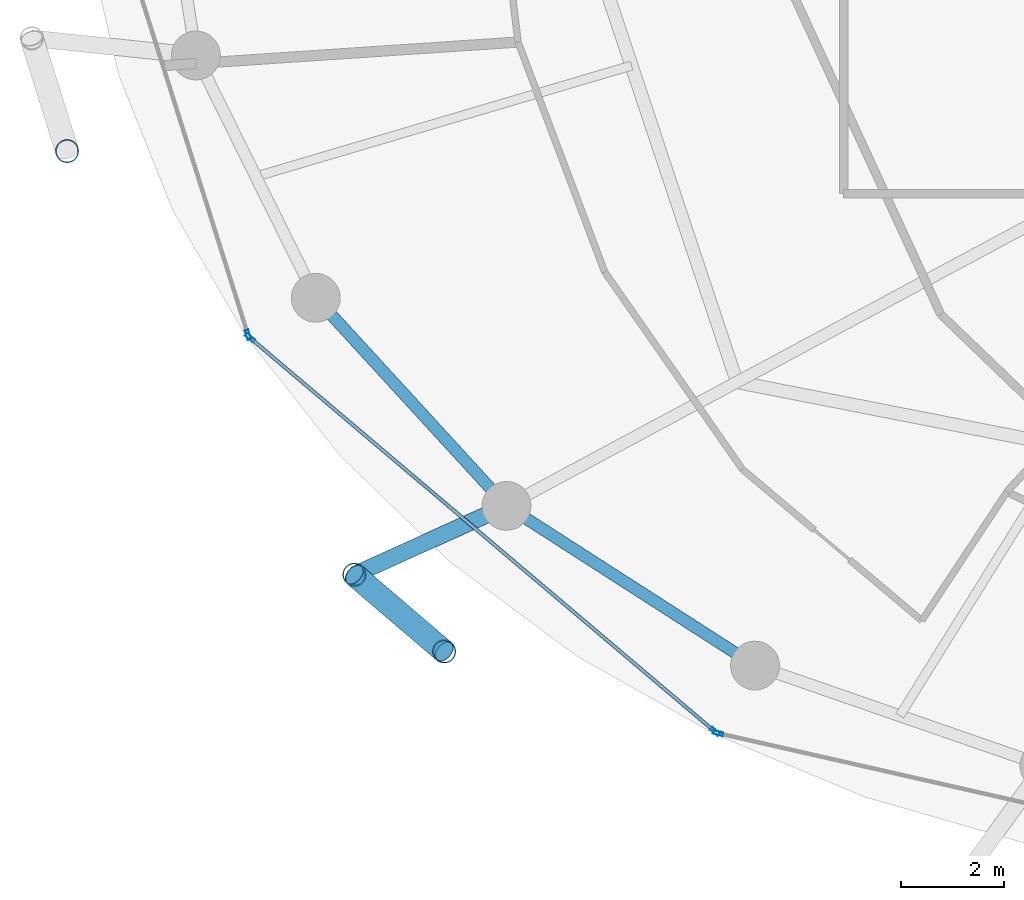
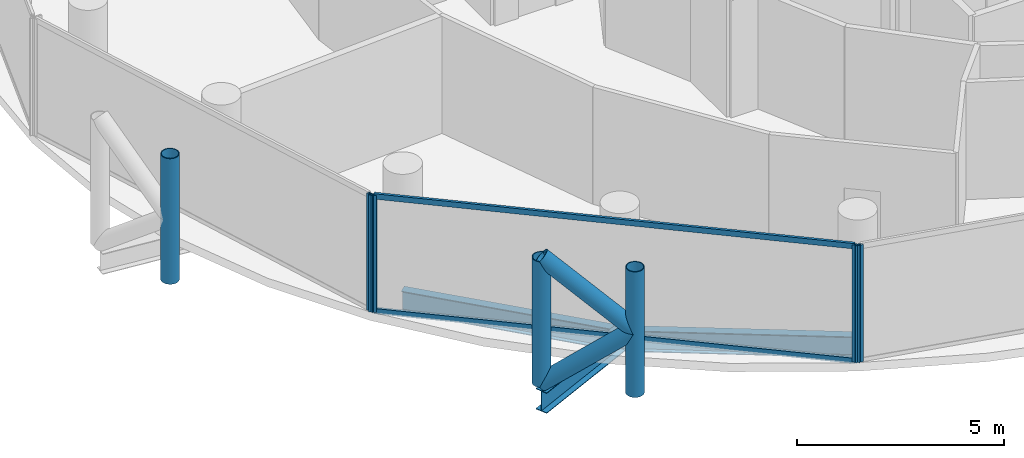
# One storey, part 2 of 27: 11 members, 3 beams, 3 elements without a shape of their own.
"""IFC4 building model written with IfcOpenShell, lengths in metres."""

from ifc_helpers import new_model, si_unit, direction, frame, origin, origin_2d, place, context, subcontext, project, spatial, hollow_rectangle, hollow_circle, i_section, extrude, material, layer, layer_set, material_profile, profile_set, type_object, element, aggregate, save


model = new_model("IFC4")

# Units and contexts
model_context = context("Model", 3, precision=1e-05, world=origin(), true_north=direction((0.0, 1.0)))
body_context = subcontext(model_context, "Body", "Model", "MODEL_VIEW")
ifc_project = project(units=[si_unit("LENGTHUNIT", "METRE"), si_unit("AREAUNIT", "SQUARE_METRE"), si_unit("VOLUMEUNIT", "CUBIC_METRE"), si_unit("PLANEANGLEUNIT", "RADIAN"), si_unit("MASSUNIT", "GRAM", prefix="KILO")], contexts=[model_context])

# Site, building, storey
site_placement = place(None, origin())
site = spatial("IfcSite", under=ifc_project, at=site_placement, CompositionType="ELEMENT")
building_placement = place(site_placement, origin())
building = spatial("IfcBuilding", under=site, at=building_placement, Name="Nuhasar Tower", CompositionType="ELEMENT")
storey_placement = place(building_placement, frame((0.0, 0.0, 158.949951171875)))
storey = spatial("IfcBuildingStorey", under=building, at=storey_placement, Name="L38", CompositionType="ELEMENT", Elevation=158.949951171875)

# Beams
ifc_material_1 = material(Name="Steel S355", Category="steel")
ifc_material_profile_1 = material_profile(ifc_material_1, i_section(OverallWidth=0.22998046875, OverallDepth=0.616943359375, WebThickness=0.01318359375, FlangeThickness=0.022216796875, at=origin_2d()), Name="W24X94")
ifc_profile_set_1 = profile_set([ifc_material_profile_1], Name="Steel S355")
beam_type_1 = type_object("IfcBeamType", Name="BM-RING-W24X94", PredefinedType="SPANDREL", material=ifc_profile_set_1)
beam_1_placement = place(storey_placement, frame((18.778076171875, 17.02490234375, -0.558837890625), z_axis=(0.675676316545, -0.737198423262, 0.0), x_axis=(0.737198423262, 0.675676316545, 0.0)))
element("IfcBeam", 1, at=beam_1_placement, inside=storey, type_object=beam_type_1, Name="L38 Perimeter Ring Spandrel 15", PredefinedType="SPANDREL", context=body_context, shape_type="SweptSolid", body=[
    extrude(i_section(OverallWidth=0.22998046875, OverallDepth=0.616943359375, WebThickness=0.01318359375, FlangeThickness=0.022216796875, at=origin_2d()), origin(), (0.0, 0.0, 1.0), 5.4921875),
])
beam_2_placement = place(storey_placement, frame((22.489013671875, 12.97607421875, -0.558837890625), z_axis=(0.841308170616, -0.540555789955, 0.0), x_axis=(0.540555789955, 0.841308170616, 0.0)))
element("IfcBeam", 2, at=beam_2_placement, inside=storey, type_object=beam_type_1, Name="L38 Perimeter Ring Spandrel 16", PredefinedType="SPANDREL", context=body_context, shape_type="SweptSolid", body=[
    extrude(i_section(OverallWidth=0.22998046875, OverallDepth=0.616943359375, WebThickness=0.01318359375, FlangeThickness=0.022216796875, at=origin_2d()), origin(), (0.0, 0.0, 1.0), 5.748046875),
])
ifc_material_profile_2 = material_profile(ifc_material_1, i_section(OverallWidth=0.323974609375, OverallDepth=0.611083984375, WebThickness=0.0126953125, FlangeThickness=0.01904296875, at=origin_2d()), Name="W24X104")
ifc_profile_set_2 = profile_set([ifc_material_profile_2], Name="Steel S355")
beam_type_2 = type_object("IfcBeamType", Name="BM-TIE-W24X104", PredefinedType="BEAM", material=ifc_profile_set_2)
beam_3_placement = place(storey_placement, frame((22.489013671875, 12.97607421875, -0.555908203125), z_axis=(-0.911211381786, -0.411939094653, 0.0), x_axis=(0.411939094653, -0.911211381786, 0.0)))
element("IfcBeam", 3, at=beam_3_placement, inside=storey, type_object=beam_type_2, Name="L38 Exoskeleton Node Tie Beam 08", PredefinedType="BEAM", context=body_context, shape_type="SweptSolid", body=[
    extrude(i_section(OverallWidth=0.323974609375, OverallDepth=0.611083984375, WebThickness=0.0126953125, FlangeThickness=0.01904296875, at=origin_2d()), origin(), (0.0, 0.0, 1.0), 3.248291015625),
])

# Curtain wall, member
ifc_material_2 = material(Name="Aluminium 6063-T6", Category="aluminium")
ifc_layer = layer(ifc_material_2, 0.199951171875)
ifc_layer_set = layer_set([ifc_layer], Name="Aluminium 6063-T6")
curtain_wall_type = type_object("IfcCurtainWallType", Name="CW-Z2-HTL", PredefinedType="NOTDEFINED", material=ifc_layer_set)
curtain_wall_1_placement = place(storey_placement, origin())
curtain_wall_1 = element("IfcCurtainWall", 4, at=curtain_wall_1_placement, inside=storey, type_object=curtain_wall_type, Name="L38 Unitised Curtain Wall 07", PredefinedType="NOTDEFINED")
ifc_material_profile_3 = material_profile(ifc_material_2, hollow_rectangle(XDim=0.070068359375, YDim=0.199951171875, WallThickness=0.0048828125, at=origin_2d()), Name="CWM-3")
ifc_profile_set_3 = profile_set([ifc_material_profile_3], Name="Aluminium 6063-T6")
member_type_1 = type_object("IfcMemberType", Name="CW-MUL-S3", PredefinedType="MULLION", material=ifc_profile_set_3)
member_1_placement = place(storey_placement, frame((17.46044921875, 16.303466796875, 0.0), z_axis=(0.0, 0.0, 1.0), x_axis=(0.953433389233, 0.301603667577, 0.0)))
member_1 = element("IfcMember", 5, at=member_1_placement, type_object=member_type_1, Name="CW-Z2 mullion 2", PredefinedType="MULLION", context=body_context, shape_type="SweptSolid", body=[
    extrude(hollow_rectangle(XDim=0.070068359375, YDim=0.199951171875, WallThickness=0.0048828125, at=origin_2d()), origin(), (0.0, 0.0, 1.0), 3.449951171875),
])
aggregate(curtain_wall_1, [member_1])

# Curtain wall, members
curtain_wall_2_placement = place(storey_placement, origin())
curtain_wall_2 = element("IfcCurtainWall", 6, at=curtain_wall_2_placement, inside=storey, type_object=curtain_wall_type, Name="L38 Unitised Curtain Wall 08", PredefinedType="NOTDEFINED")
member_2_placement = place(storey_placement, frame((17.497802734375, 16.247314453125, 0.0), z_axis=(0.0, 0.0, 1.0), x_axis=(0.646374438324, 0.763020370292, 0.0)))
member_2 = element("IfcMember", 7, at=member_2_placement, type_object=member_type_1, Name="CW-Z2 mullion 1", PredefinedType="MULLION", context=body_context, shape_type="SweptSolid", body=[
    extrude(hollow_rectangle(XDim=0.070068359375, YDim=0.199951171875, WallThickness=0.0048828125, at=origin_2d()), origin(), (0.0, 0.0, 1.0), 3.449951171875),
])
member_3_placement = place(storey_placement, frame((26.543212890625, 8.584716796875, 0.0), z_axis=(0.0, 0.0, 1.0), x_axis=(0.646374438324, 0.763020370292, 0.0)))
member_3 = element("IfcMember", 8, at=member_3_placement, type_object=member_type_1, Name="CW-Z2 mullion 2", PredefinedType="MULLION", context=body_context, shape_type="SweptSolid", body=[
    extrude(hollow_rectangle(XDim=0.070068359375, YDim=0.199951171875, WallThickness=0.0048828125, at=origin_2d()), origin(), (0.0, 0.0, 1.0), 3.449951171875),
])

# Curtain wall, member
curtain_wall_3_placement = place(storey_placement, origin())
curtain_wall_3 = element("IfcCurtainWall", 9, at=curtain_wall_3_placement, inside=storey, type_object=curtain_wall_type, Name="L38 Unitised Curtain Wall 09", PredefinedType="NOTDEFINED")
member_4_placement = place(storey_placement, frame((26.604248046875, 8.55419921875, 0.0), z_axis=(0.0, 0.0, 1.0), x_axis=(0.22139729566, 0.975183694221, 0.0)))
member_4 = element("IfcMember", 10, at=member_4_placement, type_object=member_type_1, Name="CW-Z2 mullion 1", PredefinedType="MULLION", context=body_context, shape_type="SweptSolid", body=[
    extrude(hollow_rectangle(XDim=0.070068359375, YDim=0.199951171875, WallThickness=0.0048828125, at=origin_2d()), origin(), (0.0, 0.0, 1.0), 3.449951171875),
])
aggregate(curtain_wall_3, [member_4])

# Member
ifc_material_profile_4 = material_profile(ifc_material_2, hollow_rectangle(XDim=0.070068359375, YDim=0.159912109375, WallThickness=0.00439453125, at=origin_2d()), Name="CWT-3")
ifc_profile_set_4 = profile_set([ifc_material_profile_4], Name="Aluminium 6063-T6")
member_type_2 = type_object("IfcMemberType", Name="CW-TRN-S3", PredefinedType="USERDEFINED", material=ifc_profile_set_4)
member_5_placement = place(storey_placement, frame((17.5244140625, 16.224853515625, 0.03515625), z_axis=(0.763013698099, -0.646382314511, 0.0), x_axis=(0.646382314511, 0.763013698099, 0.0)))
member_5 = element("IfcMember", 11, at=member_5_placement, type_object=member_type_2, Name="CW-Z2 transom 1.1", ObjectType="TRANSOM", PredefinedType="USERDEFINED", context=body_context, shape_type="SweptSolid", body=[
    extrude(hollow_rectangle(XDim=0.070068359375, YDim=0.159912109375, WallThickness=0.00439453125, at=origin_2d()), origin(), (0.0, 0.0, 1.0), 11.78515625),
])

member_6_placement = place(storey_placement, frame((17.5244140625, 16.224853515625, 3.4150390625), z_axis=(0.763013698099, -0.646382314511, 0.0), x_axis=(0.646382314511, 0.763013698099, 0.0)))
member_6 = element("IfcMember", 12, at=member_6_placement, type_object=member_type_2, Name="CW-Z2 transom 1.2", ObjectType="TRANSOM", PredefinedType="USERDEFINED", context=body_context, shape_type="SweptSolid", body=[
    extrude(hollow_rectangle(XDim=0.070068359375, YDim=0.159912109375, WallThickness=0.00439453125, at=origin_2d()), origin(), (0.0, 0.0, 1.0), 11.78515625),
])

aggregate(curtain_wall_2, [member_2, member_3, member_5, member_6])

# Members
ifc_material_3 = material(Name="Steel S460", Category="steel")
ifc_material_profile_5 = material_profile(ifc_material_3, hollow_circle(Radius=0.228515625, WallThickness=0.022216796875, at=origin_2d()), Name="HSS457X22.2")
ifc_profile_set_5 = profile_set([ifc_material_profile_5], Name="Steel S460")
member_type_3 = type_object("IfcMemberType", Name="EXO-BRONZE-457", PredefinedType="BRACE", material=ifc_profile_set_5)
for number, where, z_axis, x_axis, name in (
    (13, (13.93994140625, 19.87890625, 0.0), (0.0, 0.0, 1.0), (1.0, 0.0, 0.0), "L38 Exoskeleton Chord Column EC-07B"),
    (14, (19.529052734375, 11.637939453125, 0.0), (0.0, 0.0, 1.0), (1.0, 0.0, 0.0), "L38 Exoskeleton Chord Column EC-08A"),
    (15, (21.277099609375, 10.14306640625, 0.0), (0.0, 0.0, 1.0), (1.0, 0.0, 0.0), "L38 Exoskeleton Chord Column EC-08B"),
):
    element("IfcMember", number, at=place(storey_placement, frame(where, z_axis=z_axis, x_axis=x_axis)), inside=storey, type_object=member_type_3, Name=name, PredefinedType="BRACE", context=body_context, shape_type="SweptSolid", body=[
        extrude(hollow_circle(Radius=0.228515625, WallThickness=0.022216796875, at=origin_2d()), origin(), (0.0, 0.0, 1.0), 3.699951171875),
    ])
member_7_placement = place(storey_placement, frame((19.529052734375, 11.637939453125, 0.0), z_axis=(0.592195175458, -0.506426125604, 0.626767463634), x_axis=(0.649925557156, 0.7599978751, 0.0)))
element("IfcMember", 16, at=member_7_placement, inside=storey, type_object=member_type_3, Name="L38 Bronze Diagrid Brace W1-08", PredefinedType="BRACE", context=body_context, shape_type="SweptSolid", body=[
    extrude(hollow_circle(Radius=0.228515625, WallThickness=0.022216796875, at=origin_2d()), origin(), (0.0, 0.0, 1.0), 2.951904296875),
])
member_8_placement = place(storey_placement, frame((21.277099609375, 10.14306640625, 1.85009765625), z_axis=(-0.592225874743, 0.506452378638, 0.626717242029), x_axis=(-0.649925557156, -0.7599978751, 0.0)))
element("IfcMember", 17, at=member_8_placement, inside=storey, type_object=member_type_3, Name="L38 Bronze Diagrid Brace W2-08", PredefinedType="BRACE", context=body_context, shape_type="SweptSolid", body=[
    extrude(hollow_circle(Radius=0.228515625, WallThickness=0.022216796875, at=origin_2d()), origin(), (0.0, 0.0, 1.0), 2.95166015625),
])

save(model, "model.ifc")
